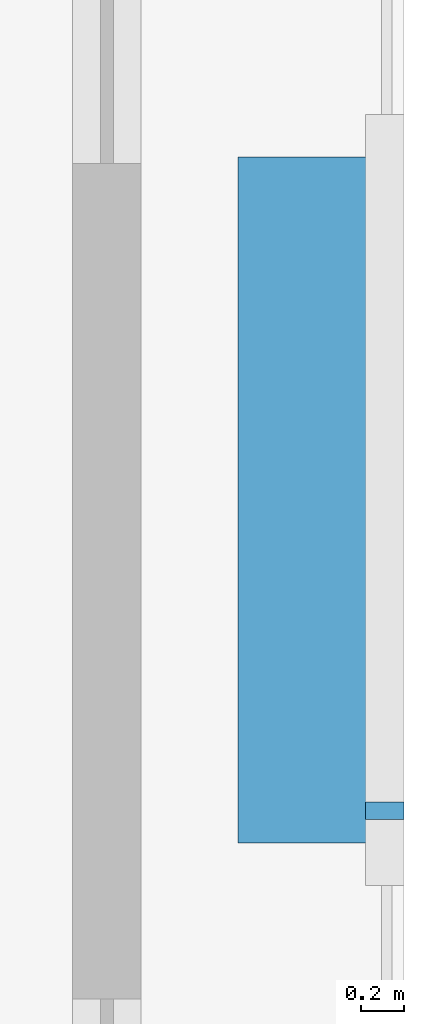
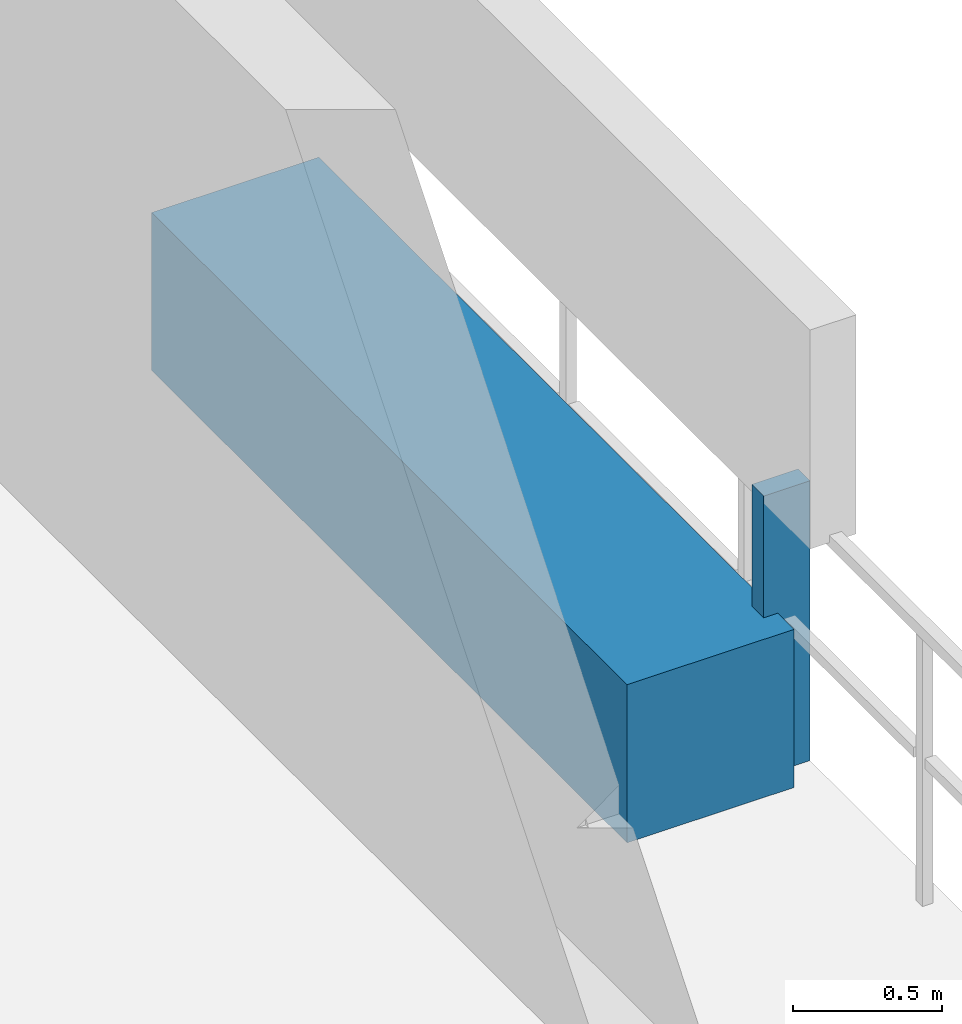
# One storey, part 31 of 35: 2 discrete accessories.
"""IFC4 building model written with IfcOpenShell, lengths in metres."""

from ifc_helpers import new_model, si_unit, direction, frame, origin, origin_2d, place, context, subcontext, project, spatial, rectangle, extrude, material, type_object, element, save


model = new_model("IFC4")

# Units and contexts
model_context = context("Model", 3, precision=1e-05, world=origin(), true_north=direction((0.0, 1.0)))
body_context = subcontext(model_context, "Body", "Model", "MODEL_VIEW")
ifc_project = project(units=[si_unit("LENGTHUNIT", "METRE"), si_unit("AREAUNIT", "SQUARE_METRE"), si_unit("VOLUMEUNIT", "CUBIC_METRE"), si_unit("PLANEANGLEUNIT", "RADIAN"), si_unit("MASSUNIT", "GRAM", prefix="KILO")], contexts=[model_context])

# Site, building, storey
site_placement = place(None, origin())
site = spatial("IfcSite", under=ifc_project, at=site_placement, CompositionType="ELEMENT")
building_placement = place(site_placement, origin())
building = spatial("IfcBuilding", under=site, at=building_placement, Name="Thornwick Lancets Civic Towers", CompositionType="ELEMENT")
storey_placement = place(building_placement, frame((0.0, 0.0, 269.10009765625)))
storey = spatial("IfcBuildingStorey", under=building, at=storey_placement, Name="L72", CompositionType="ELEMENT", Elevation=269.10009765625)

# Discrete accessories
ifc_material_1 = material(Name="Planted terracotta greenery planter", Category="masonry")
discrete_accessory_type_1 = type_object("IfcDiscreteAccessoryType", Name="ACC_PLANTER_BOX", PredefinedType="USERDEFINED", material=ifc_material_1)
discrete_accessory_1_placement = place(storey_placement, frame((113.199951171875, 27.0, 0.0), z_axis=(0.0, 0.0, 1.0), x_axis=(1.0, 0.0, 0.0)))
element("IfcDiscreteAccessory", 1, at=discrete_accessory_1_placement, inside=storey, type_object=discrete_accessory_type_1, Name="L72 Tower B Balcony Greenery Planter E", ObjectType="PLANTER", PredefinedType="USERDEFINED", context=body_context, shape_type="SweptSolid", body=[
    extrude(rectangle(XDim=0.64990234375, YDim=3.199951171875, at=origin_2d()), origin(), (0.0, 0.0, 1.0), 0.64990234375),
])
ifc_material_2 = material(Name="Stainless steel S355", Category="steel")
discrete_accessory_type_2 = type_object("IfcDiscreteAccessoryType", Name="ACC_SCREEN_BRACKET", PredefinedType="BRACKET", material=ifc_material_2)
discrete_accessory_2_placement = place(storey_placement, frame((113.56005859375, 25.550048828125, 0.0), z_axis=(0.0, 0.0, 1.0), x_axis=(0.0, 1.0, 0.0)))
element("IfcDiscreteAccessory", 2, at=discrete_accessory_2_placement, inside=storey, type_object=discrete_accessory_type_2, Name="L72 Tower B Balcony Screen Stanchion Bracket E-1", PredefinedType="BRACKET", context=body_context, shape_type="SweptSolid", body=[
    extrude(rectangle(XDim=0.080078125, YDim=0.179931640625, at=origin_2d()), origin(), (0.0, 0.0, 1.0), 1.14990234375),
])

save(model, "model.ifc")
